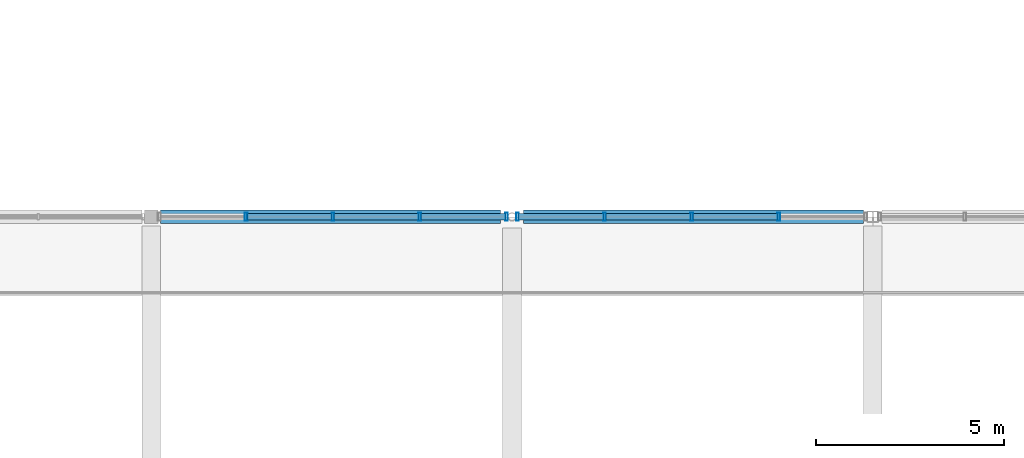
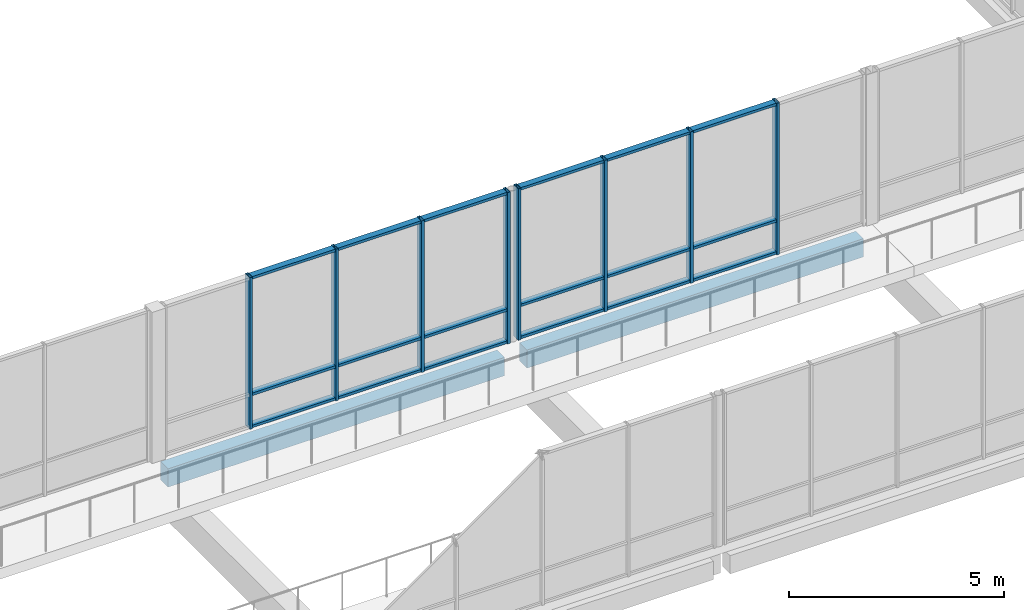
# One storey, part 77 of 146: 26 members, 2 beams, 2 elements without a shape of their own.
"""IFC4 building model written with IfcOpenShell, lengths in metres."""

from ifc_helpers import new_model, si_unit, direction, frame, origin, origin_2d, place, context, subcontext, project, spatial, rectangle, hollow_rectangle, extrude, material, material_profile, profile_set, type_object, element, aggregate, save


model = new_model("IFC4")

# Units and contexts
model_context = context("Model", 3, precision=1e-05, world=origin(), true_north=direction((0.0, 1.0)))
body_context = subcontext(model_context, "Body", "Model", "MODEL_VIEW")
ifc_project = project(units=[si_unit("LENGTHUNIT", "METRE"), si_unit("AREAUNIT", "SQUARE_METRE"), si_unit("VOLUMEUNIT", "CUBIC_METRE"), si_unit("PLANEANGLEUNIT", "RADIAN"), si_unit("MASSUNIT", "GRAM", prefix="KILO")], contexts=[model_context])

# Site, building, storey
site_placement = place(None, origin())
site = spatial("IfcSite", under=ifc_project, at=site_placement, CompositionType="ELEMENT")
building_placement = place(site_placement, origin())
building = spatial("IfcBuilding", under=site, at=building_placement, Name="Hawrajan Terrace Health Centre", CompositionType="ELEMENT")
storey_placement = place(building_placement, frame((0.0, 0.0, 4.5)))
storey = spatial("IfcBuildingStorey", under=building, at=storey_placement, Name="L01", CompositionType="ELEMENT", Elevation=4.5)

# Curtain wall, members
ifc_material_1 = material(Name="Anodized bronze aluminium and low-E solar glazing", Category="aluminium")
curtain_wall_type_1 = type_object("IfcCurtainWallType", Name="CW_Diagnostic_SeriesM1", PredefinedType="USERDEFINED", material=ifc_material_1)
curtain_wall_1_placement = place(storey_placement, origin())
curtain_wall_1 = element("IfcCurtainWall", 1, at=curtain_wall_1_placement, inside=storey, type_object=curtain_wall_type_1, Name="Curtain wall CW-L01-095", ObjectType="UNITISED CURTAIN WALL", PredefinedType="USERDEFINED")
ifc_material_2 = material(Name="Anodized bronze aluminium 6063-T6", Category="aluminium")
ifc_material_profile_1 = material_profile(ifc_material_2, hollow_rectangle(XDim=0.074951171875, YDim=0.219970703125, WallThickness=0.0048828125, at=origin_2d()), Name="CW MUL 75x220")
ifc_profile_set_1 = profile_set([ifc_material_profile_1], Name="Anodized bronze aluminium 6063-T6")
member_type_1 = type_object("IfcMemberType", Name="CWMullion_75x220", PredefinedType="MULLION", material=ifc_profile_set_1)
member_1_placement = place(storey_placement, frame((83.926513671875, 36.800048828125, -0.0048828125), z_axis=(0.0, 0.0, 1.0), x_axis=(1.0, 0.0, 0.0)))
member_1 = element("IfcMember", 2, at=member_1_placement, type_object=member_type_1, Name="Mullion CW-L01-095-M2", PredefinedType="MULLION", context=body_context, shape_type="SweptSolid", body=[
    extrude(hollow_rectangle(XDim=0.074951171875, YDim=0.219970703125, WallThickness=0.0048828125, at=origin_2d()), origin(), (0.0, 0.0, 1.0), 4.309814453125),
])
member_2_placement = place(storey_placement, frame((86.2353515625, 36.800048828125, -0.0048828125), z_axis=(0.0, 0.0, 1.0), x_axis=(1.0, 0.0, 0.0)))
member_2 = element("IfcMember", 3, at=member_2_placement, type_object=member_type_1, Name="Mullion CW-L01-095-M3", PredefinedType="MULLION", context=body_context, shape_type="SweptSolid", body=[
    extrude(hollow_rectangle(XDim=0.074951171875, YDim=0.219970703125, WallThickness=0.0048828125, at=origin_2d()), origin(), (0.0, 0.0, 1.0), 4.309814453125),
])
member_3_placement = place(storey_placement, frame((88.544189453125, 36.800048828125, -0.0048828125), z_axis=(0.0, 0.0, 1.0), x_axis=(1.0, 0.0, 0.0)))
member_3 = element("IfcMember", 4, at=member_3_placement, type_object=member_type_1, Name="Mullion CW-L01-095-M4", PredefinedType="MULLION", context=body_context, shape_type="SweptSolid", body=[
    extrude(hollow_rectangle(XDim=0.074951171875, YDim=0.219970703125, WallThickness=0.0048828125, at=origin_2d()), origin(), (0.0, 0.0, 1.0), 4.309814453125),
])
member_4_placement = place(storey_placement, frame((90.85302734375, 36.800048828125, -0.0048828125), z_axis=(0.0, 0.0, 1.0), x_axis=(1.0, 0.0, 0.0)))
member_4 = element("IfcMember", 5, at=member_4_placement, type_object=member_type_1, Name="Mullion CW-L01-095-M5", PredefinedType="MULLION", context=body_context, shape_type="SweptSolid", body=[
    extrude(hollow_rectangle(XDim=0.074951171875, YDim=0.219970703125, WallThickness=0.0048828125, at=origin_2d()), origin(), (0.0, 0.0, 1.0), 4.309814453125),
])

curtain_wall_type_2 = type_object("IfcCurtainWallType", Name="CW_Court_SeriesA2", PredefinedType="USERDEFINED", material=ifc_material_1)
curtain_wall_2_placement = place(storey_placement, origin())
curtain_wall_2 = element("IfcCurtainWall", 6, at=curtain_wall_2_placement, inside=storey, type_object=curtain_wall_type_2, Name="Curtain wall CW-L01-098", ObjectType="UNITISED CURTAIN WALL", PredefinedType="USERDEFINED")
member_5_placement = place(storey_placement, frame((91.14697265625, 36.800048828125, -0.0048828125), z_axis=(0.0, 0.0, 1.0), x_axis=(1.0, 0.0, 0.0)))
member_5 = element("IfcMember", 7, at=member_5_placement, type_object=member_type_1, Name="Mullion CW-L01-098-M1", PredefinedType="MULLION", context=body_context, shape_type="SweptSolid", body=[
    extrude(hollow_rectangle(XDim=0.074951171875, YDim=0.219970703125, WallThickness=0.0048828125, at=origin_2d()), origin(), (0.0, 0.0, 1.0), 4.309814453125),
])
member_6_placement = place(storey_placement, frame((93.46337890625, 36.800048828125, -0.0048828125), z_axis=(0.0, 0.0, 1.0), x_axis=(1.0, 0.0, 0.0)))
member_6 = element("IfcMember", 8, at=member_6_placement, type_object=member_type_1, Name="Mullion CW-L01-098-M2", PredefinedType="MULLION", context=body_context, shape_type="SweptSolid", body=[
    extrude(hollow_rectangle(XDim=0.074951171875, YDim=0.219970703125, WallThickness=0.0048828125, at=origin_2d()), origin(), (0.0, 0.0, 1.0), 4.309814453125),
])
member_7_placement = place(storey_placement, frame((95.77978515625, 36.800048828125, -0.0048828125), z_axis=(0.0, 0.0, 1.0), x_axis=(1.0, 0.0, 0.0)))
member_7 = element("IfcMember", 9, at=member_7_placement, type_object=member_type_1, Name="Mullion CW-L01-098-M3", PredefinedType="MULLION", context=body_context, shape_type="SweptSolid", body=[
    extrude(hollow_rectangle(XDim=0.074951171875, YDim=0.219970703125, WallThickness=0.0048828125, at=origin_2d()), origin(), (0.0, 0.0, 1.0), 4.309814453125),
])
member_8_placement = place(storey_placement, frame((98.09619140625, 36.800048828125, -0.0048828125), z_axis=(0.0, 0.0, 1.0), x_axis=(1.0, 0.0, 0.0)))
member_8 = element("IfcMember", 10, at=member_8_placement, type_object=member_type_1, Name="Mullion CW-L01-098-M4", PredefinedType="MULLION", context=body_context, shape_type="SweptSolid", body=[
    extrude(hollow_rectangle(XDim=0.074951171875, YDim=0.219970703125, WallThickness=0.0048828125, at=origin_2d()), origin(), (0.0, 0.0, 1.0), 4.309814453125),
])

# Member
ifc_material_profile_2 = material_profile(ifc_material_2, hollow_rectangle(XDim=0.074951171875, YDim=0.169921875, WallThickness=0.00439453125, at=origin_2d()), Name="CW TRN 75x170")
ifc_profile_set_2 = profile_set([ifc_material_profile_2], Name="Anodized bronze aluminium 6063-T6")
member_type_2 = type_object("IfcMemberType", Name="CWTransom_75x170", PredefinedType="USERDEFINED", material=ifc_profile_set_2)
member_9_placement = place(storey_placement, frame((83.9580078125, 36.800048828125, 0.03759765625), z_axis=(1.0, 0.0, 0.0), x_axis=(0.0, 0.0, 1.0)))
member_9 = element("IfcMember", 11, at=member_9_placement, type_object=member_type_2, Name="Transom CW-L01-095-T2-1", ObjectType="TRANSOM", PredefinedType="USERDEFINED", context=body_context, shape_type="SweptSolid", body=[
    extrude(hollow_rectangle(XDim=0.074951171875, YDim=0.169921875, WallThickness=0.00439453125, at=origin_2d()), origin(), (0.0, 0.0, 1.0), 2.24560546875),
])

member_10_placement = place(storey_placement, frame((83.9580078125, 36.800048828125, 0.949951171875), z_axis=(1.0, 0.0, 0.0), x_axis=(0.0, 0.0, 1.0)))
member_10 = element("IfcMember", 12, at=member_10_placement, type_object=member_type_2, Name="Transom CW-L01-095-T2-2", ObjectType="TRANSOM", PredefinedType="USERDEFINED", context=body_context, shape_type="SweptSolid", body=[
    extrude(hollow_rectangle(XDim=0.074951171875, YDim=0.169921875, WallThickness=0.00439453125, at=origin_2d()), origin(), (0.0, 0.0, 1.0), 2.24560546875),
])

member_11_placement = place(storey_placement, frame((83.9580078125, 36.800048828125, 4.262451171875), z_axis=(1.0, 0.0, 0.0), x_axis=(0.0, 0.0, 1.0)))
member_11 = element("IfcMember", 13, at=member_11_placement, type_object=member_type_2, Name="Transom CW-L01-095-T2-3", ObjectType="TRANSOM", PredefinedType="USERDEFINED", context=body_context, shape_type="SweptSolid", body=[
    extrude(hollow_rectangle(XDim=0.074951171875, YDim=0.169921875, WallThickness=0.00439453125, at=origin_2d()), origin(), (0.0, 0.0, 1.0), 2.24560546875),
])

member_12_placement = place(storey_placement, frame((86.266845703125, 36.800048828125, 0.03759765625), z_axis=(1.0, 0.0, 0.0), x_axis=(0.0, 0.0, 1.0)))
member_12 = element("IfcMember", 14, at=member_12_placement, type_object=member_type_2, Name="Transom CW-L01-095-T3-1", ObjectType="TRANSOM", PredefinedType="USERDEFINED", context=body_context, shape_type="SweptSolid", body=[
    extrude(hollow_rectangle(XDim=0.074951171875, YDim=0.169921875, WallThickness=0.00439453125, at=origin_2d()), origin(), (0.0, 0.0, 1.0), 2.245849609375),
])

member_13_placement = place(storey_placement, frame((86.266845703125, 36.800048828125, 0.949951171875), z_axis=(1.0, 0.0, 0.0), x_axis=(0.0, 0.0, 1.0)))
member_13 = element("IfcMember", 15, at=member_13_placement, type_object=member_type_2, Name="Transom CW-L01-095-T3-2", ObjectType="TRANSOM", PredefinedType="USERDEFINED", context=body_context, shape_type="SweptSolid", body=[
    extrude(hollow_rectangle(XDim=0.074951171875, YDim=0.169921875, WallThickness=0.00439453125, at=origin_2d()), origin(), (0.0, 0.0, 1.0), 2.245849609375),
])

member_14_placement = place(storey_placement, frame((86.266845703125, 36.800048828125, 4.262451171875), z_axis=(1.0, 0.0, 0.0), x_axis=(0.0, 0.0, 1.0)))
member_14 = element("IfcMember", 16, at=member_14_placement, type_object=member_type_2, Name="Transom CW-L01-095-T3-3", ObjectType="TRANSOM", PredefinedType="USERDEFINED", context=body_context, shape_type="SweptSolid", body=[
    extrude(hollow_rectangle(XDim=0.074951171875, YDim=0.169921875, WallThickness=0.00439453125, at=origin_2d()), origin(), (0.0, 0.0, 1.0), 2.245849609375),
])

member_15_placement = place(storey_placement, frame((88.57568359375, 36.800048828125, 0.03759765625), z_axis=(1.0, 0.0, 0.0), x_axis=(0.0, 0.0, 1.0)))
member_15 = element("IfcMember", 17, at=member_15_placement, type_object=member_type_2, Name="Transom CW-L01-095-T4-1", ObjectType="TRANSOM", PredefinedType="USERDEFINED", context=body_context, shape_type="SweptSolid", body=[
    extrude(hollow_rectangle(XDim=0.074951171875, YDim=0.169921875, WallThickness=0.00439453125, at=origin_2d()), origin(), (0.0, 0.0, 1.0), 2.245849609375),
])

member_16_placement = place(storey_placement, frame((88.57568359375, 36.800048828125, 0.949951171875), z_axis=(1.0, 0.0, 0.0), x_axis=(0.0, 0.0, 1.0)))
member_16 = element("IfcMember", 18, at=member_16_placement, type_object=member_type_2, Name="Transom CW-L01-095-T4-2", ObjectType="TRANSOM", PredefinedType="USERDEFINED", context=body_context, shape_type="SweptSolid", body=[
    extrude(hollow_rectangle(XDim=0.074951171875, YDim=0.169921875, WallThickness=0.00439453125, at=origin_2d()), origin(), (0.0, 0.0, 1.0), 2.245849609375),
])

member_17_placement = place(storey_placement, frame((88.57568359375, 36.800048828125, 4.262451171875), z_axis=(1.0, 0.0, 0.0), x_axis=(0.0, 0.0, 1.0)))
member_17 = element("IfcMember", 19, at=member_17_placement, type_object=member_type_2, Name="Transom CW-L01-095-T4-3", ObjectType="TRANSOM", PredefinedType="USERDEFINED", context=body_context, shape_type="SweptSolid", body=[
    extrude(hollow_rectangle(XDim=0.074951171875, YDim=0.169921875, WallThickness=0.00439453125, at=origin_2d()), origin(), (0.0, 0.0, 1.0), 2.245849609375),
])

aggregate(curtain_wall_1, [member_1, member_2, member_3, member_4, member_9, member_10, member_11, member_12, member_13, member_14, member_15, member_16, member_17])

member_18_placement = place(storey_placement, frame((91.178466796875, 36.800048828125, 0.03759765625), z_axis=(1.0, 0.0, 0.0), x_axis=(0.0, 0.0, 1.0)))
member_18 = element("IfcMember", 20, at=member_18_placement, type_object=member_type_2, Name="Transom CW-L01-098-T1-1", ObjectType="TRANSOM", PredefinedType="USERDEFINED", context=body_context, shape_type="SweptSolid", body=[
    extrude(hollow_rectangle(XDim=0.074951171875, YDim=0.169921875, WallThickness=0.00439453125, at=origin_2d()), origin(), (0.0, 0.0, 1.0), 2.25341796875),
])

member_19_placement = place(storey_placement, frame((91.178466796875, 36.800048828125, 0.949951171875), z_axis=(1.0, 0.0, 0.0), x_axis=(0.0, 0.0, 1.0)))
member_19 = element("IfcMember", 21, at=member_19_placement, type_object=member_type_2, Name="Transom CW-L01-098-T1-2", ObjectType="TRANSOM", PredefinedType="USERDEFINED", context=body_context, shape_type="SweptSolid", body=[
    extrude(hollow_rectangle(XDim=0.074951171875, YDim=0.169921875, WallThickness=0.00439453125, at=origin_2d()), origin(), (0.0, 0.0, 1.0), 2.25341796875),
])

member_20_placement = place(storey_placement, frame((91.178466796875, 36.800048828125, 4.262451171875), z_axis=(1.0, 0.0, 0.0), x_axis=(0.0, 0.0, 1.0)))
member_20 = element("IfcMember", 22, at=member_20_placement, type_object=member_type_2, Name="Transom CW-L01-098-T1-3", ObjectType="TRANSOM", PredefinedType="USERDEFINED", context=body_context, shape_type="SweptSolid", body=[
    extrude(hollow_rectangle(XDim=0.074951171875, YDim=0.169921875, WallThickness=0.00439453125, at=origin_2d()), origin(), (0.0, 0.0, 1.0), 2.25341796875),
])

member_21_placement = place(storey_placement, frame((93.494873046875, 36.800048828125, 0.03759765625), z_axis=(1.0, 0.0, 0.0), x_axis=(0.0, 0.0, 1.0)))
member_21 = element("IfcMember", 23, at=member_21_placement, type_object=member_type_2, Name="Transom CW-L01-098-T2-1", ObjectType="TRANSOM", PredefinedType="USERDEFINED", context=body_context, shape_type="SweptSolid", body=[
    extrude(hollow_rectangle(XDim=0.074951171875, YDim=0.169921875, WallThickness=0.00439453125, at=origin_2d()), origin(), (0.0, 0.0, 1.0), 2.25341796875),
])

member_22_placement = place(storey_placement, frame((93.494873046875, 36.800048828125, 0.949951171875), z_axis=(1.0, 0.0, 0.0), x_axis=(0.0, 0.0, 1.0)))
member_22 = element("IfcMember", 24, at=member_22_placement, type_object=member_type_2, Name="Transom CW-L01-098-T2-2", ObjectType="TRANSOM", PredefinedType="USERDEFINED", context=body_context, shape_type="SweptSolid", body=[
    extrude(hollow_rectangle(XDim=0.074951171875, YDim=0.169921875, WallThickness=0.00439453125, at=origin_2d()), origin(), (0.0, 0.0, 1.0), 2.25341796875),
])

member_23_placement = place(storey_placement, frame((93.494873046875, 36.800048828125, 4.262451171875), z_axis=(1.0, 0.0, 0.0), x_axis=(0.0, 0.0, 1.0)))
member_23 = element("IfcMember", 25, at=member_23_placement, type_object=member_type_2, Name="Transom CW-L01-098-T2-3", ObjectType="TRANSOM", PredefinedType="USERDEFINED", context=body_context, shape_type="SweptSolid", body=[
    extrude(hollow_rectangle(XDim=0.074951171875, YDim=0.169921875, WallThickness=0.00439453125, at=origin_2d()), origin(), (0.0, 0.0, 1.0), 2.25341796875),
])

member_24_placement = place(storey_placement, frame((95.811279296875, 36.800048828125, 0.03759765625), z_axis=(1.0, 0.0, 0.0), x_axis=(0.0, 0.0, 1.0)))
member_24 = element("IfcMember", 26, at=member_24_placement, type_object=member_type_2, Name="Transom CW-L01-098-T3-1", ObjectType="TRANSOM", PredefinedType="USERDEFINED", context=body_context, shape_type="SweptSolid", body=[
    extrude(hollow_rectangle(XDim=0.074951171875, YDim=0.169921875, WallThickness=0.00439453125, at=origin_2d()), origin(), (0.0, 0.0, 1.0), 2.25341796875),
])

member_25_placement = place(storey_placement, frame((95.811279296875, 36.800048828125, 0.949951171875), z_axis=(1.0, 0.0, 0.0), x_axis=(0.0, 0.0, 1.0)))
member_25 = element("IfcMember", 27, at=member_25_placement, type_object=member_type_2, Name="Transom CW-L01-098-T3-2", ObjectType="TRANSOM", PredefinedType="USERDEFINED", context=body_context, shape_type="SweptSolid", body=[
    extrude(hollow_rectangle(XDim=0.074951171875, YDim=0.169921875, WallThickness=0.00439453125, at=origin_2d()), origin(), (0.0, 0.0, 1.0), 2.25341796875),
])

member_26_placement = place(storey_placement, frame((95.811279296875, 36.800048828125, 4.262451171875), z_axis=(1.0, 0.0, 0.0), x_axis=(0.0, 0.0, 1.0)))
member_26 = element("IfcMember", 28, at=member_26_placement, type_object=member_type_2, Name="Transom CW-L01-098-T3-3", ObjectType="TRANSOM", PredefinedType="USERDEFINED", context=body_context, shape_type="SweptSolid", body=[
    extrude(hollow_rectangle(XDim=0.074951171875, YDim=0.169921875, WallThickness=0.00439453125, at=origin_2d()), origin(), (0.0, 0.0, 1.0), 2.25341796875),
])

aggregate(curtain_wall_2, [member_5, member_6, member_7, member_8, member_18, member_19, member_20, member_21, member_22, member_23, member_24, member_25, member_26])

# Beams
ifc_material_3 = material(Name="Concrete C40/50", Category="concrete")
ifc_material_profile_3 = material_profile(ifc_material_3, rectangle(XDim=0.35009765625, YDim=0.52001953125, at=origin_2d()), Name="RC SP 350x520")
ifc_profile_set_3 = profile_set([ifc_material_profile_3], Name="Concrete C40/50")
beam_type = type_object("IfcBeamType", Name="RCSpandrel_350x520", PredefinedType="SPANDREL", material=ifc_profile_set_3)
for number, where, z_axis, x_axis, name in (
    (29, (81.64990234375, 36.800048828125, -0.56005859375), (1.0, 0.0, 0.0), (0.0, 1.0, 0.0), "Beam BM-X-L01-C-11-Y5"),
    (30, (91.300048828125, 36.800048828125, -0.56005859375), (1.0, 0.0, 0.0), (0.0, 1.0, 0.0), "Beam BM-X-L01-C-12-Y5"),
):
    element("IfcBeam", number, at=place(storey_placement, frame(where, z_axis=z_axis, x_axis=x_axis)), inside=storey, type_object=beam_type, Name=name, PredefinedType="SPANDREL", context=body_context, shape_type="SweptSolid", body=[
        extrude(rectangle(XDim=0.35009765625, YDim=0.52001953125, at=origin_2d()), origin(), (0.0, 0.0, 1.0), 9.050048828125),
    ])

save(model, "model.ifc")
